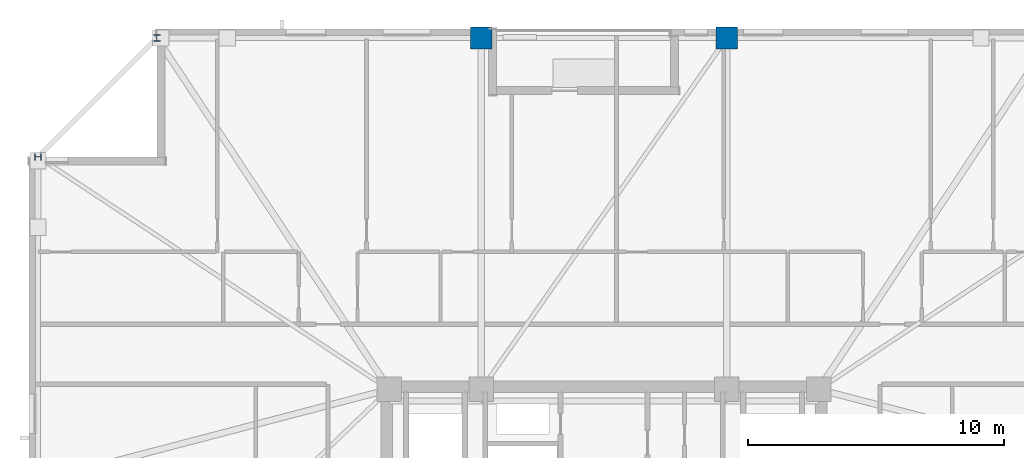
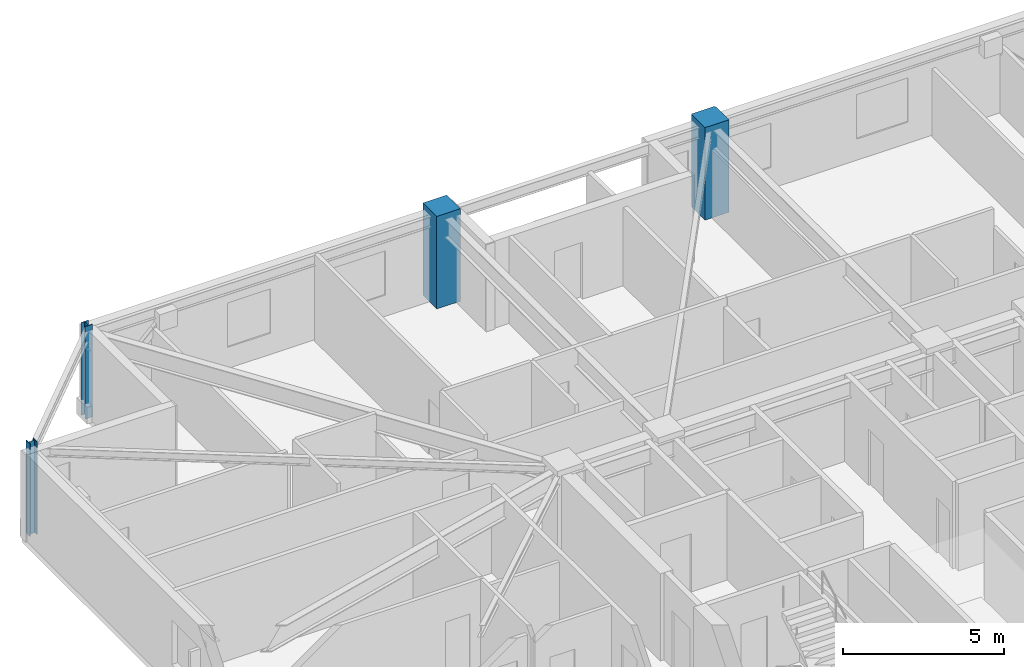
# One storey, part 4 of 17: 4 columns.
"""IFC4 building model written with IfcOpenShell, lengths in metres."""

from ifc_helpers import new_model, si_unit, direction, frame, origin, origin_2d, place, context, subcontext, project, spatial, rectangle, i_section, extrude, material, material_profile, profile_set, type_object, element, save


model = new_model("IFC4")

# Units and contexts
model_context = context("Model", 3, precision=1e-05, world=origin(), true_north=direction((0.0, 1.0)))
body_context = subcontext(model_context, "Body", "Model", "MODEL_VIEW")
ifc_project = project(units=[si_unit("LENGTHUNIT", "METRE"), si_unit("AREAUNIT", "SQUARE_METRE"), si_unit("VOLUMEUNIT", "CUBIC_METRE"), si_unit("PLANEANGLEUNIT", "RADIAN"), si_unit("MASSUNIT", "GRAM", prefix="KILO")], contexts=[model_context])

# Site, building, storey
site_placement = place(None, origin())
site = spatial("IfcSite", under=ifc_project, at=site_placement, CompositionType="ELEMENT")
building_placement = place(site_placement, origin())
building = spatial("IfcBuilding", under=site, at=building_placement, Name="Cairnveth Concourse Tower", CompositionType="ELEMENT")
storey_placement = place(building_placement, frame((0.0, 0.0, 206.0)))
storey = spatial("IfcBuildingStorey", under=building, at=storey_placement, Name="L56", CompositionType="ELEMENT", Elevation=206.0)

# Columns
ifc_material_1 = material(Name="Concrete N65 (65 MPa)", Category="concrete")
ifc_material_profile_1 = material_profile(ifc_material_1, rectangle(XDim=0.85009765625, YDim=0.85009765625, at=origin_2d()), Name="RC-COL-850x850")
ifc_profile_set_1 = profile_set([ifc_material_profile_1], Name="Concrete N65 (65 MPa)")
column_type_1 = type_object("IfcColumnType", Name="PERIMETER PIER COLUMN 850X850", PredefinedType="COLUMN", material=ifc_profile_set_1)
for number, where, z_axis, x_axis, name in (
    (1, (56.800048828125, 61.14990234375, 0.0), (0.0, 0.0, 1.0), (1.0, 0.0, 0.0), "Column P-N2 L56"),
    (2, (47.199951171875, 61.14990234375, 0.0), (0.0, 0.0, 1.0), (1.0, 0.0, 0.0), "Column P-N3 L56"),
):
    element("IfcColumn", number, at=place(storey_placement, frame(where, z_axis=z_axis, x_axis=x_axis)), inside=storey, type_object=column_type_1, Name=name, PredefinedType="COLUMN", context=body_context, shape_type="SweptSolid", body=[
        extrude(rectangle(XDim=0.85009765625, YDim=0.85009765625, at=origin_2d()), origin(), (0.0, 0.0, 1.0), 3.5),
    ])
ifc_material_2 = material(Name="Steel Grade 350", Category="steel")
ifc_material_profile_2 = material_profile(ifc_material_2, i_section(OverallWidth=0.256103515625, OverallDepth=0.260009765625, WebThickness=0.010498046875, FlangeThickness=0.017333984375, FilletRadius=0.012939453125, at=origin_2d()), Name="250UC89.5")
ifc_profile_set_2 = profile_set([ifc_material_profile_2], Name="Steel Grade 350")
column_type_2 = type_object("IfcColumnType", Name="UNIVERSAL STEEL COLUMN 250UC89.5", PredefinedType="COLUMN", material=ifc_profile_set_2)
for number, where, z_axis, x_axis, name in (
    (3, (34.5, 61.14990234375, 0.0), (0.0, 0.0, 1.0), (1.0, 0.0, 0.0), "Column P-N4 L56"),
    (4, (29.85009765625, 56.5, 0.0), (0.0, 0.0, 1.0), (0.0, 1.0, 0.0), "Column P-W1 L56"),
):
    element("IfcColumn", number, at=place(storey_placement, frame(where, z_axis=z_axis, x_axis=x_axis)), inside=storey, type_object=column_type_2, Name=name, PredefinedType="COLUMN", context=body_context, shape_type="SweptSolid", body=[
        extrude(i_section(OverallWidth=0.256103515625, OverallDepth=0.260009765625, WebThickness=0.010498046875, FlangeThickness=0.017333984375, FilletRadius=0.012939453125, at=origin_2d()), origin(), (0.0, 0.0, 1.0), 3.5),
    ])

save(model, "model.ifc")
